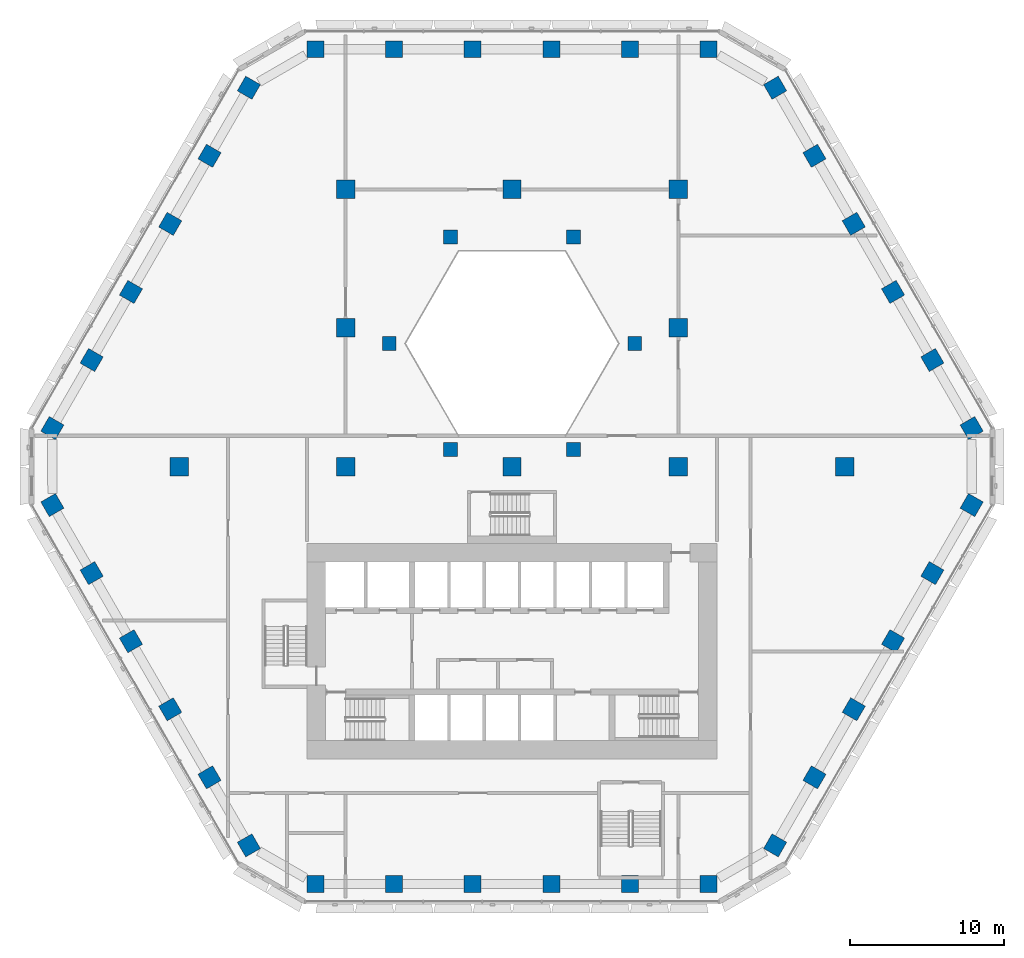
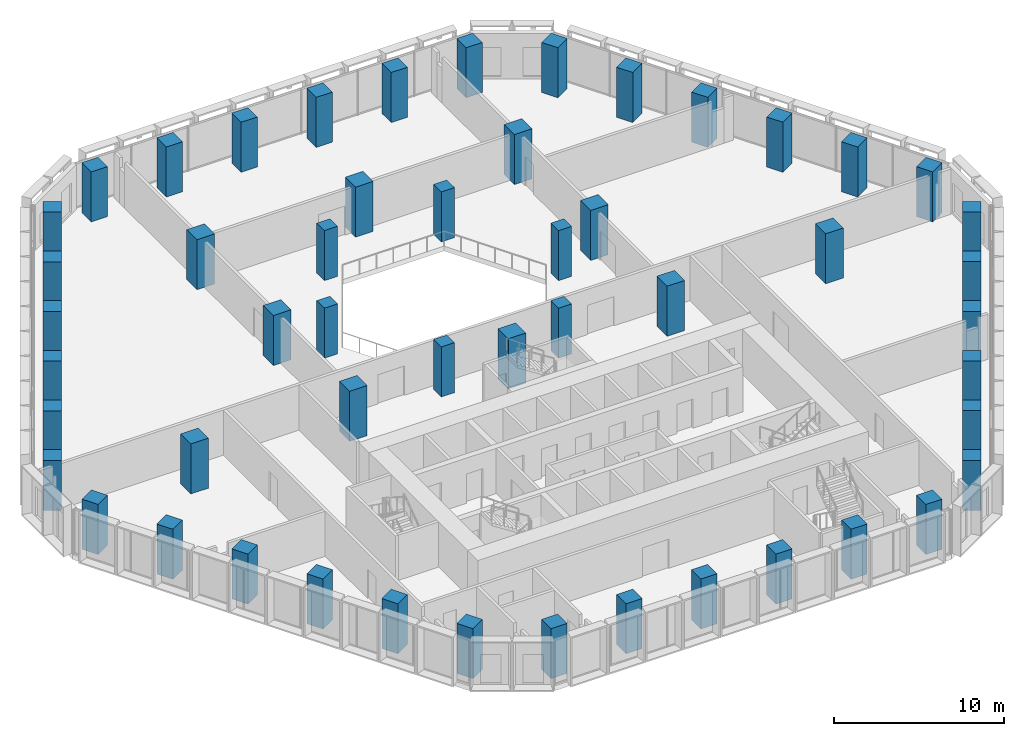
# One storey, part 1 of 25: 52 columns.
"""IFC4 building model written with IfcOpenShell, lengths in metres."""

import ifcopenshell
import ifcopenshell.guid

model = None  # the IFC model being written
_history = None  # IfcOwnerHistory: only IFC2X3 demands one
_inside = {}  # id of a spatial element -> (the spatial element, [elements in it])
_under = {}  # id of a project, library or spatial element -> (it, [spatial elements below it])
_declared = {}  # id of a project -> (the project, [libraries it declares])
_typed = {}  # id of a type object -> (the type object, [elements of that type])
_made_of = {}  # id of a material, layer set ... -> (it, [elements and type objects made of it])


def new_model(schema):
    """Start an empty IFC model of exactly this schema.

    Asked for "IFC4X3", IfcOpenShell would pick the latest addendum, in which some entities
    have other attributes; the version numbers below select the first issue.
    IFC2X3 requires an IfcOwnerHistory on every rooted entity: one is made here for all.
    """
    global model, _history
    if schema == "IFC4X3":
        model = ifcopenshell.file(schema_version=(4, 3, 0, 0))
    else:
        model = ifcopenshell.file(schema=schema)
    _inside.clear()
    _under.clear()
    _declared.clear()
    _typed.clear()
    _made_of.clear()
    _history = None
    if model.schema == "IFC2X3":
        org = make("IfcOrganization", Name="unknown")
        user = make(
            "IfcPersonAndOrganization",
            ThePerson=make("IfcPerson", FamilyName="unknown"),
            TheOrganization=org,
        )
        app = make(
            "IfcApplication",
            ApplicationDeveloper=org,
            Version="unknown",
            ApplicationFullName="unknown",
            ApplicationIdentifier="unknown",
        )
        _history = make(
            "IfcOwnerHistory",
            OwningUser=user,
            OwningApplication=app,
            ChangeAction="ADDED",
            CreationDate=0,
        )
    return model


def make(cls, **values):
    """One entity of the class cls with the attributes given. An attribute that is None is left unset."""
    return model.create_entity(
        cls, **{name: value for name, value in values.items() if value is not None}
    )


def rooted(cls, **values):
    """An entity with a GlobalId (a new one), such as an element, a storey or a relation."""
    return make(cls, GlobalId=ifcopenshell.guid.new(), OwnerHistory=_history, **values)


def si_unit(unit_type, name, prefix=None):
    """IfcSIUnit, for example si_unit("LENGTHUNIT", "METRE", prefix="MILLI")."""
    return make("IfcSIUnit", UnitType=unit_type, Prefix=prefix, Name=name)


def assignment(units):
    """IfcUnitAssignment: the units of a project."""
    return None if units is None else make("IfcUnitAssignment", Units=units)


def point(xyz):
    """IfcCartesianPoint."""
    return None if xyz is None else make("IfcCartesianPoint", Coordinates=xyz)


def direction(xyz):
    """IfcDirection."""
    return None if xyz is None else make("IfcDirection", DirectionRatios=xyz)


def frame(location, z_axis=None, x_axis=None):
    """IfcAxis2Placement3D, a coordinate frame: its origin and axes. An axis left out is left unset."""
    return make(
        "IfcAxis2Placement3D",
        Location=point(location),
        Axis=direction(z_axis),
        RefDirection=direction(x_axis),
    )


def frame_2d(location, x_axis=None):
    """IfcAxis2Placement2D, a coordinate frame in the plane: its origin and x axis."""
    return make(
        "IfcAxis2Placement2D", Location=point(location), RefDirection=direction(x_axis)
    )


def origin():
    """The frame at (0, 0, 0) with its axes left unset."""
    return frame((0.0, 0.0, 0.0))


def origin_2d():
    """The frame at (0, 0) in the plane with its x axis left unset."""
    return frame_2d((0.0, 0.0))


def place(relative_to, where):
    """IfcLocalPlacement: puts the frame where relative to a parent placement (None: the world)."""
    return make(
        "IfcLocalPlacement", PlacementRelTo=relative_to, RelativePlacement=where
    )


def context(
    kind, dimensions, precision=None, world=None, true_north=None, identifier=None
):
    """IfcGeometricRepresentationContext, for example the 3D "Model" context."""
    return make(
        "IfcGeometricRepresentationContext",
        ContextIdentifier=identifier,
        ContextType=kind,
        CoordinateSpaceDimension=dimensions,
        Precision=precision,
        WorldCoordinateSystem=world,
        TrueNorth=true_north,
    )


def subcontext(parent, identifier, kind, view, scale=None):
    """IfcGeometricRepresentationSubContext, for example "Body" below "Model"."""
    return make(
        "IfcGeometricRepresentationSubContext",
        ContextIdentifier=identifier,
        ContextType=kind,
        ParentContext=parent,
        TargetScale=scale,
        TargetView=view,
    )


def project(units=None, contexts=None):
    """IfcProject with its units and contexts."""
    return rooted(
        "IfcProject",
        Name="project",
        RepresentationContexts=contexts,
        UnitsInContext=assignment(units),
    )


def spatial(cls, under=None, at=None, **own):
    """A site, building, storey or space (cls), placed at a placement, below another one or the project."""
    s = rooted(cls, ObjectPlacement=at, **own)
    if under is not None:
        _under.setdefault(under.id(), (under, []))[1].append(s)
    return s


def profile(cls, at=None, kind="AREA", **sizes):
    """A parametric profile (cls). Its sizes go by their IFC names, for example OverallWidth=200.0."""
    return make(cls, ProfileType=kind, Position=at, **sizes)


def rectangle(**sizes):
    """IfcRectangleProfileDef."""
    return profile("IfcRectangleProfileDef", **sizes)


def extrude(swept, where, along, depth):
    """IfcExtrudedAreaSolid: the profile swept, set in the frame where, extruded along a direction by depth."""
    return make(
        "IfcExtrudedAreaSolid",
        SweptArea=swept,
        Position=where,
        ExtrudedDirection=direction(along),
        Depth=depth,
    )


def shape(context_of_items, identifier, shape_type, items):
    """IfcShapeRepresentation: the items that make up one representation, for example the "Body"."""
    return make(
        "IfcShapeRepresentation",
        ContextOfItems=context_of_items,
        RepresentationIdentifier=identifier,
        RepresentationType=shape_type,
        Items=items,
    )


def material(Name=None, Category=None):
    """IfcMaterial."""
    return make("IfcMaterial", Name=Name, Category=Category)


def material_profile(
    of_material, cross_section, Name=None, Category=None, Priority=None
):
    """IfcMaterialProfile: a cross section and its material."""
    return make(
        "IfcMaterialProfile",
        Name=Name,
        Material=of_material,
        Profile=cross_section,
        Priority=Priority,
        Category=Category,
    )


def profile_set(profiles, Name=None, composite=None):
    """IfcMaterialProfileSet."""
    return make(
        "IfcMaterialProfileSet",
        Name=Name,
        MaterialProfiles=profiles,
        CompositeProfile=composite,
    )


def made_of(thing, what):
    """Note that an element or type object is made of a material, layer set ...; save() writes the relation."""
    if what is not None:
        _made_of.setdefault(what.id(), (what, []))[1].append(thing)
    return thing


def type_object(cls, material=None, **own):
    """A type object (cls), such as IfcWallType, which elements share."""
    return made_of(rooted(cls, **own), material)


def element(
    cls,
    number,
    at=None,
    inside=None,
    cuts=None,
    type_object=None,
    material=None,
    context=None,
    identifier="Body",
    shape_type=None,
    held_by="IfcProductDefinitionShape",
    body=None,
    shapes=None,
    **own,
):
    """One element of the class cls, such as IfcWall. Its Tag is "e" and its number.

    at: its placement. inside: the storey or other place that contains it. cuts: it is an
    opening in that element (IfcRelVoidsElement). A single representation is given by context,
    identifier, shape_type and body (its items); several are given by shapes. held_by: the class
    of the entity that holds the representations. save() writes the other relations.
    """
    e = rooted(cls, Tag="e%d" % number, ObjectPlacement=at, **own)
    if body is not None:
        shapes = [shape(context, identifier, shape_type, body)]
    if shapes is not None:
        e.Representation = make(held_by, Representations=shapes)
    if inside is not None:
        _inside.setdefault(inside.id(), (inside, []))[1].append(e)
    if cuts is not None:
        rooted(
            "IfcRelVoidsElement", RelatingBuildingElement=cuts, RelatedOpeningElement=e
        )
    if type_object is not None:
        _typed.setdefault(type_object.id(), (type_object, []))[1].append(e)
    return made_of(e, material)


def aggregate(whole, parts):
    """IfcRelAggregates: a whole, such as a stair, and the parts it consists of."""
    return rooted("IfcRelAggregates", RelatingObject=whole, RelatedObjects=parts)


def save(model, path):
    """Write the relations noted so far, then the file.

    IfcRelAggregates (storeys below a building ...), IfcRelContainedInSpatialStructure (elements
    in a storey), IfcRelDefinesByType, IfcRelAssociatesMaterial and IfcRelDeclares: one each for
    every whole, place, type object, material and project.
    """
    for whole, parts in _under.values():
        aggregate(whole, parts)
    for where, things in _inside.values():
        rooted(
            "IfcRelContainedInSpatialStructure",
            RelatedElements=things,
            RelatingStructure=where,
        )
    for kind, things in _typed.values():
        rooted("IfcRelDefinesByType", RelatedObjects=things, RelatingType=kind)
    for what, things in _made_of.values():
        rooted("IfcRelAssociatesMaterial", RelatedObjects=things, RelatingMaterial=what)
    for by, libraries in _declared.values():
        rooted("IfcRelDeclares", RelatingContext=by, RelatedDefinitions=libraries)
    model.write(path)


model = new_model("IFC4")

# Units and contexts
model_context = context("Model", 3, precision=1e-05, world=origin(), true_north=direction((0.0, 1.0)))
body_context = subcontext(model_context, "Body", "Model", "MODEL_VIEW")
ifc_project = project(units=[si_unit("LENGTHUNIT", "METRE"), si_unit("AREAUNIT", "SQUARE_METRE"), si_unit("VOLUMEUNIT", "CUBIC_METRE"), si_unit("PLANEANGLEUNIT", "RADIAN"), si_unit("MASSUNIT", "GRAM", prefix="KILO")], contexts=[model_context])

# Site, building, storey
site_placement = place(None, origin())
site = spatial("IfcSite", under=ifc_project, at=site_placement, CompositionType="ELEMENT")
building_placement = place(site_placement, origin())
building = spatial("IfcBuilding", under=site, at=building_placement, Name="Beryl Residences", CompositionType="ELEMENT")
storey_placement = place(building_placement, frame((0.0, 0.0, 16.199951171875)))
storey = spatial("IfcBuildingStorey", under=building, at=storey_placement, Name="L04", CompositionType="ELEMENT", Elevation=16.199951171875)

# Columns
ifc_material_1 = material(Name="Concrete C80/95", Category="concrete")
ifc_material_profile_1 = material_profile(ifc_material_1, rectangle(XDim=1.10009765625, YDim=1.10009765625, at=origin_2d()))
ifc_profile_set_1 = profile_set([ifc_material_profile_1], Name="Concrete C80/95")
column_type_1 = type_object("IfcColumnType", Name="C1 tube column 1100 x 1100 C80/95", PredefinedType="COLUMN", material=ifc_profile_set_1)
for number, where, z_axis, x_axis, name in (
    (1, (12.759033203125, 27.10009765625, 0.0), (0.0, 0.0, 1.0), (-1.0, 0.0, 0.0), "C1-N1 L04"),
    (2, (7.655029296875, 27.10009765625, 0.0), (0.0, 0.0, 1.0), (-1.0, 0.0, 0.0), "C1-N2 L04"),
    (3, (2.551025390625, 27.10009765625, 0.0), (0.0, 0.0, 1.0), (-1.0, 0.0, 0.0), "C1-N3 L04"),
    (4, (-2.552978515625, 27.10009765625, 0.0), (0.0, 0.0, 1.0), (-1.0, 0.0, 0.0), "C1-N4 L04"),
    (5, (-7.656982421875, 27.10009765625, 0.0), (0.0, 0.0, 1.0), (-1.0, 0.0, 0.0), "C1-N5 L04"),
    (6, (-12.760986328125, 27.10009765625, 0.0), (0.0, 0.0, 1.0), (-1.0, 0.0, 0.0), "C1-N6 L04"),
    (7, (-17.090087890625, 24.60009765625, 0.0), (0.0, 0.0, 1.0), (-0.499984884929, -0.866034130299, 0.0), "C1-NW1 L04"),
    (8, (-19.64208984375, 20.179931640625, 0.0), (0.0, 0.0, 1.0), (-0.499984884929, -0.866034130299, 0.0), "C1-NW2 L04"),
    (9, (-22.194091796875, 15.759033203125, 0.0), (0.0, 0.0, 1.0), (-0.499984884929, -0.866034130299, 0.0), "C1-NW3 L04"),
    (10, (-24.74609375, 11.339111328125, 0.0), (0.0, 0.0, 1.0), (-0.499984884929, -0.866034130299, 0.0), "C1-NW4 L04"),
    (11, (-27.298095703125, 6.9189453125, 0.0), (0.0, 0.0, 1.0), (-0.499984884929, -0.866034130299, 0.0), "C1-NW5 L04"),
    (12, (-29.84912109375, 2.4990234375, 0.0), (0.0, 0.0, 1.0), (-0.499984884929, -0.866034130299, 0.0), "C1-NW6 L04"),
    (13, (-29.847900390625, -2.5, 0.0), (0.0, 0.0, 1.0), (0.499984884929, -0.866034130299, 0.0), "C1-SW1 L04"),
    (14, (-27.297119140625, -6.9208984375, 0.0), (0.0, 0.0, 1.0), (0.499984884929, -0.866034130299, 0.0), "C1-SW2 L04"),
    (15, (-24.7451171875, -11.341064453125, 0.0), (0.0, 0.0, 1.0), (0.499984884929, -0.866034130299, 0.0), "C1-SW3 L04"),
    (16, (-22.193115234375, -15.760986328125, 0.0), (0.0, 0.0, 1.0), (0.499984884929, -0.866034130299, 0.0), "C1-SW4 L04"),
    (17, (-19.64111328125, -20.180908203125, 0.0), (0.0, 0.0, 1.0), (0.499984884929, -0.866034130299, 0.0), "C1-SW5 L04"),
    (18, (-17.089111328125, -24.60107421875, 0.0), (0.0, 0.0, 1.0), (0.499984884929, -0.866034130299, 0.0), "C1-SW6 L04"),
    (19, (-12.759033203125, -27.10009765625, 0.0), (0.0, 0.0, 1.0), (1.0, 0.0, 0.0), "C1-S1 L04"),
    (20, (-7.655029296875, -27.10009765625, 0.0), (0.0, 0.0, 1.0), (1.0, 0.0, 0.0), "C1-S2 L04"),
    (21, (-2.551025390625, -27.10009765625, 0.0), (0.0, 0.0, 1.0), (1.0, 0.0, 0.0), "C1-S3 L04"),
    (22, (2.552978515625, -27.10009765625, 0.0), (0.0, 0.0, 1.0), (1.0, 0.0, 0.0), "C1-S4 L04"),
    (23, (7.656982421875, -27.10009765625, 0.0), (0.0, 0.0, 1.0), (1.0, 0.0, 0.0), "C1-S5 L04"),
    (24, (12.760986328125, -27.10009765625, 0.0), (0.0, 0.0, 1.0), (1.0, 0.0, 0.0), "C1-S6 L04"),
    (25, (17.090087890625, -24.60009765625, 0.0), (0.0, 0.0, 1.0), (0.499984884929, 0.866034130299, 0.0), "C1-SE1 L04"),
    (26, (19.64208984375, -20.179931640625, 0.0), (0.0, 0.0, 1.0), (0.499984884929, 0.866034130299, 0.0), "C1-SE2 L04"),
    (27, (22.194091796875, -15.759033203125, 0.0), (0.0, 0.0, 1.0), (0.499984884929, 0.866034130299, 0.0), "C1-SE3 L04"),
    (28, (24.74609375, -11.339111328125, 0.0), (0.0, 0.0, 1.0), (0.499984884929, 0.866034130299, 0.0), "C1-SE4 L04"),
    (29, (27.298095703125, -6.9189453125, 0.0), (0.0, 0.0, 1.0), (0.499984884929, 0.866034130299, 0.0), "C1-SE5 L04"),
    (30, (29.84912109375, -2.4990234375, 0.0), (0.0, 0.0, 1.0), (0.499984884929, 0.866034130299, 0.0), "C1-SE6 L04"),
    (31, (29.847900390625, 2.5, 0.0), (0.0, 0.0, 1.0), (-0.499984884929, 0.866034130299, 0.0), "C1-NE1 L04"),
    (32, (27.297119140625, 6.9208984375, 0.0), (0.0, 0.0, 1.0), (-0.499984884929, 0.866034130299, 0.0), "C1-NE2 L04"),
    (33, (24.7451171875, 11.341064453125, 0.0), (0.0, 0.0, 1.0), (-0.499984884929, 0.866034130299, 0.0), "C1-NE3 L04"),
    (34, (22.193115234375, 15.760986328125, 0.0), (0.0, 0.0, 1.0), (-0.499984884929, 0.866034130299, 0.0), "C1-NE4 L04"),
    (35, (19.64111328125, 20.180908203125, 0.0), (0.0, 0.0, 1.0), (-0.499984884929, 0.866034130299, 0.0), "C1-NE5 L04"),
    (36, (17.089111328125, 24.60107421875, 0.0), (0.0, 0.0, 1.0), (-0.499984884929, 0.866034130299, 0.0), "C1-NE6 L04"),
):
    element("IfcColumn", number, at=place(storey_placement, frame(where, z_axis=z_axis, x_axis=x_axis)), inside=storey, type_object=column_type_1, Name=name, PredefinedType="COLUMN", context=body_context, shape_type="SweptSolid", body=[
        extrude(rectangle(XDim=1.10009765625, YDim=1.10009765625, at=origin_2d()), origin(), (0.0, 0.0, 1.0), 3.60009765625),
    ])
ifc_material_2 = material(Name="Concrete C80/95", Category="concrete")
ifc_material_profile_2 = material_profile(ifc_material_2, rectangle(XDim=0.89990234375, YDim=0.89990234375, at=origin_2d()))
ifc_profile_set_2 = profile_set([ifc_material_profile_2], Name="Concrete C80/95")
column_type_2 = type_object("IfcColumnType", Name="IC1 interior column 900 x 900 C80/95", PredefinedType="COLUMN", material=ifc_profile_set_2)
for number, where, z_axis, x_axis, name in (
    (37, (3.98388671875, 1.10009765625, 0.0), (0.0, 0.0, 1.0), (1.0, 0.0, 0.0), "IC1-A07 L04"),
    (38, (7.967041015625, 8.0, 0.0), (0.0, 0.0, 1.0), (1.0, 0.0, 0.0), "IC1-A10 L04"),
    (39, (3.98388671875, 14.89990234375, 0.0), (0.0, 0.0, 1.0), (1.0, 0.0, 0.0), "IC1-A13 L04"),
    (40, (-3.98388671875, 14.89990234375, 0.0), (0.0, 0.0, 1.0), (1.0, 0.0, 0.0), "IC1-A16 L04"),
    (41, (-7.967041015625, 8.0, 0.0), (0.0, 0.0, 1.0), (1.0, 0.0, 0.0), "IC1-A19 L04"),
    (42, (-3.98388671875, 1.10009765625, 0.0), (0.0, 0.0, 1.0), (1.0, 0.0, 0.0), "IC1-A22 L04"),
):
    element("IfcColumn", number, at=place(storey_placement, frame(where, z_axis=z_axis, x_axis=x_axis)), inside=storey, type_object=column_type_2, Name=name, PredefinedType="COLUMN", context=body_context, shape_type="SweptSolid", body=[
        extrude(rectangle(XDim=0.89990234375, YDim=0.89990234375, at=origin_2d()), origin(), (0.0, 0.0, 1.0), 3.60009765625),
    ])
ifc_material_3 = material(Name="Concrete C80/95", Category="concrete")
ifc_material_profile_3 = material_profile(ifc_material_3, rectangle(XDim=1.199951171875, YDim=1.199951171875, at=origin_2d()))
ifc_profile_set_3 = profile_set([ifc_material_profile_3], Name="Concrete C80/95")
column_type_3 = type_object("IfcColumnType", Name="IG1 grid column 1200 x 1200 C80/95", PredefinedType="COLUMN", material=ifc_profile_set_3)
for number, where, z_axis, x_axis, name in (
    (43, (-21.60009765625, 0.0, 0.0), (0.0, 0.0, 1.0), (1.0, 0.0, 0.0), "IG-3D L04"),
    (44, (-10.800048828125, 0.0, 0.0), (0.0, 0.0, 1.0), (1.0, 0.0, 0.0), "IG-4D L04"),
    (45, (-10.800048828125, 9.0, 0.0), (0.0, 0.0, 1.0), (1.0, 0.0, 0.0), "IG-4E L04"),
    (46, (-10.800048828125, 18.0, 0.0), (0.0, 0.0, 1.0), (1.0, 0.0, 0.0), "IG-4F L04"),
    (47, (0.0, 0.0, 0.0), (0.0, 0.0, 1.0), (1.0, 0.0, 0.0), "IG-5D L04"),
    (48, (0.0, 18.0, 0.0), (0.0, 0.0, 1.0), (1.0, 0.0, 0.0), "IG-5F L04"),
    (49, (10.800048828125, 0.0, 0.0), (0.0, 0.0, 1.0), (1.0, 0.0, 0.0), "IG-6D L04"),
    (50, (10.800048828125, 9.0, 0.0), (0.0, 0.0, 1.0), (1.0, 0.0, 0.0), "IG-6E L04"),
    (51, (10.800048828125, 18.0, 0.0), (0.0, 0.0, 1.0), (1.0, 0.0, 0.0), "IG-6F L04"),
    (52, (21.60009765625, 0.0, 0.0), (0.0, 0.0, 1.0), (1.0, 0.0, 0.0), "IG-7D L04"),
):
    element("IfcColumn", number, at=place(storey_placement, frame(where, z_axis=z_axis, x_axis=x_axis)), inside=storey, type_object=column_type_3, Name=name, PredefinedType="COLUMN", context=body_context, shape_type="SweptSolid", body=[
        extrude(rectangle(XDim=1.199951171875, YDim=1.199951171875, at=origin_2d()), origin(), (0.0, 0.0, 1.0), 3.60009765625),
    ])

save(model, "model.ifc")
